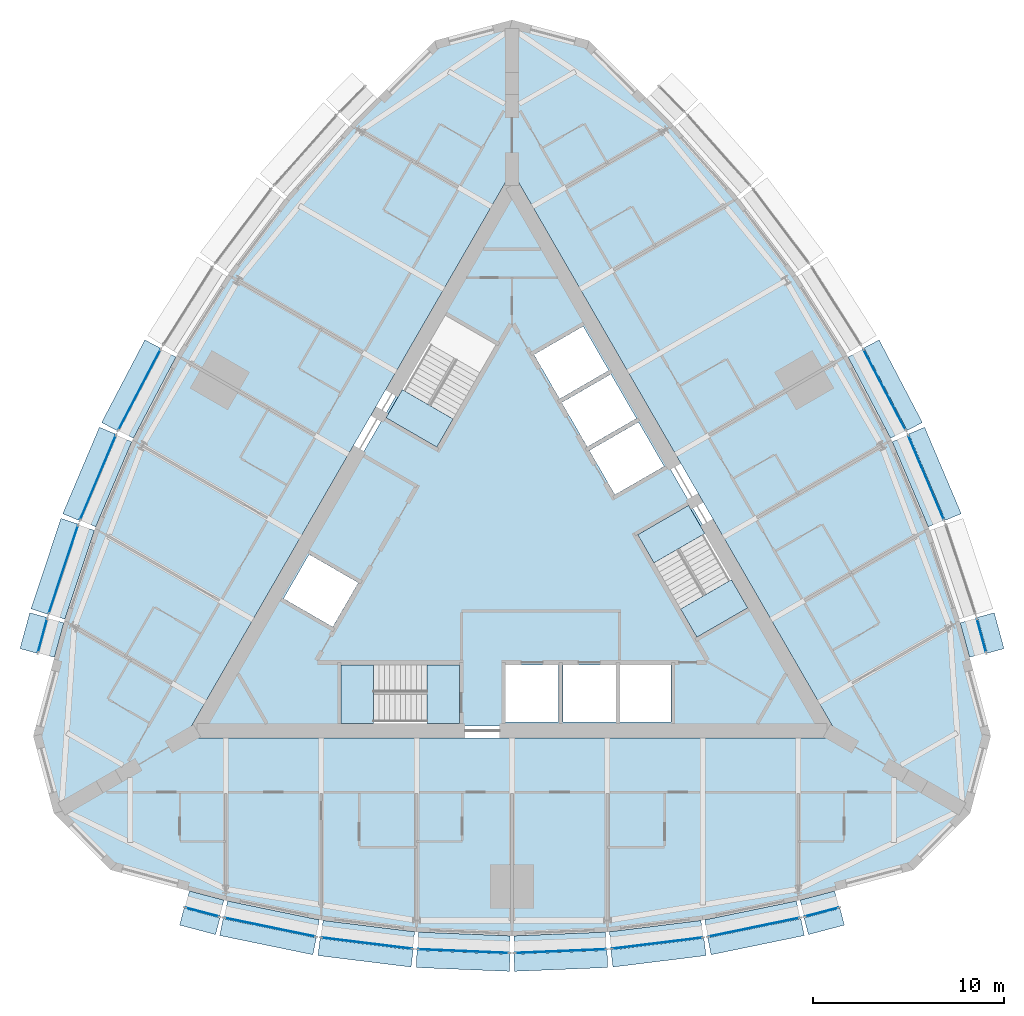
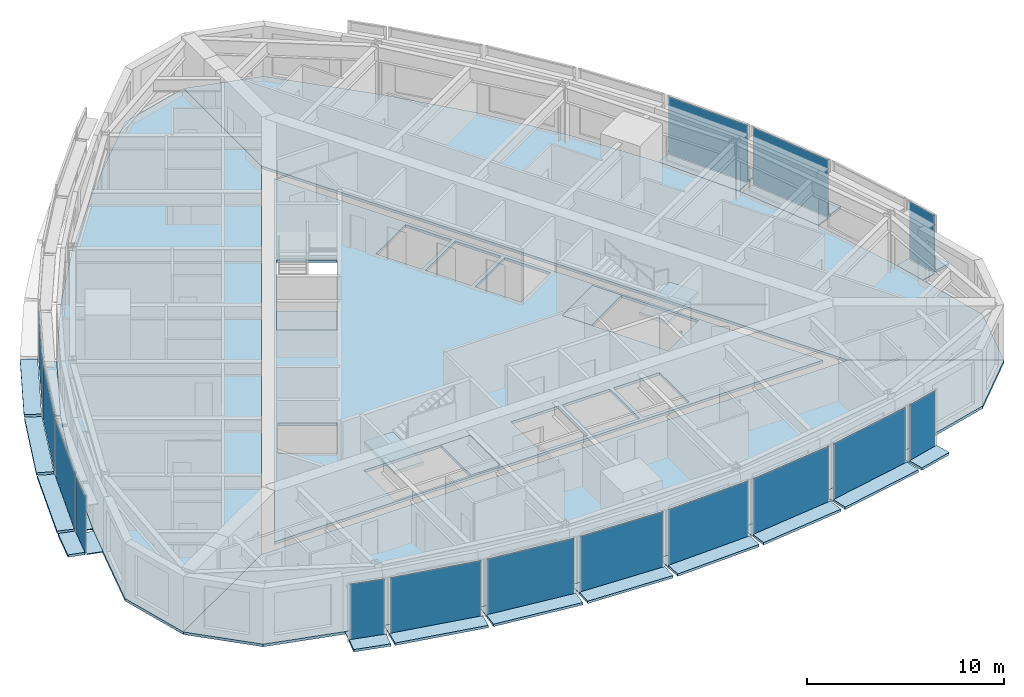
# One storey, part 7 of 15: 45 plates, 9 slabs, 18 elements without a shape of their own.
"""IFC4 building model written with IfcOpenShell, lengths in metres."""

from ifc_helpers import new_model, si_unit, direction, frame, origin, origin_2d, place, context, subcontext, project, spatial, polyline, rectangle, outline, extrude, material, layer, layer_set, type_object, element, aggregate, save


model = new_model("IFC4")

# Units and contexts
model_context = context("Model", 3, precision=1e-05, world=origin(), true_north=direction((0.0, 1.0)))
body_context = subcontext(model_context, "Body", "Model", "MODEL_VIEW")
ifc_project = project(units=[si_unit("LENGTHUNIT", "METRE"), si_unit("AREAUNIT", "SQUARE_METRE"), si_unit("VOLUMEUNIT", "CUBIC_METRE"), si_unit("PLANEANGLEUNIT", "RADIAN"), si_unit("MASSUNIT", "GRAM", prefix="KILO")], contexts=[model_context])

# Site, building, storey
site_placement = place(None, origin())
site = spatial("IfcSite", under=ifc_project, at=site_placement, CompositionType="ELEMENT")
building_placement = place(site_placement, origin())
building = spatial("IfcBuilding", under=site, at=building_placement, Name="Trikona Tower", CompositionType="ELEMENT")
storey_placement = place(building_placement, frame((0.0, 0.0, 208.10009765625)))
storey = spatial("IfcBuildingStorey", under=building, at=storey_placement, Name="L55", CompositionType="ELEMENT", Elevation=208.10009765625)

# Plates
ifc_material_1 = material(Name="Aluminium bar grating", Category="aluminium")
ifc_layer_1 = layer(ifc_material_1, 0.050048828125)
ifc_layer_set_1 = layer_set([ifc_layer_1], Name="Cavity catwalk grating")
plate_type_1 = type_object("IfcPlateType", Name="Cavity catwalk grating", PredefinedType="USERDEFINED", material=ifc_layer_set_1)
plate_1_placement = place(storey_placement, frame((-16.10693359375, -18.5673828125, -0.05029296875), z_axis=(0.0, 0.0, 1.0), x_axis=(0.966993038714, -0.254802792527, 0.0)))
element("IfcPlate", 1, at=plate_1_placement, inside=storey, type_object=plate_type_1, Name="Cavity catwalk L55-00", ObjectType="CATWALK GRATING", PredefinedType="USERDEFINED", context=body_context, shape_type="SweptSolid", body=[
    extrude(rectangle(XDim=1.868408203125, YDim=0.840087890625, at=origin_2d()), origin(), (0.0, 0.0, 1.0), 0.050048828125),
])
plate_2_placement = place(storey_placement, frame((-12.584716796875, -19.35107421875, -0.05029296875), z_axis=(0.0, 0.0, 1.0), x_axis=(0.979457514864, -0.201650629992, 0.0)))
element("IfcPlate", 2, at=plate_2_placement, inside=storey, type_object=plate_type_1, Name="Cavity catwalk L55-01", ObjectType="CATWALK GRATING", PredefinedType="USERDEFINED", context=body_context, shape_type="SweptSolid", body=[
    extrude(rectangle(XDim=4.90478515625, YDim=0.840087890625, at=origin_2d()), origin(), (0.0, 0.0, 1.0), 0.050048828125),
])
plate_3_placement = place(storey_placement, frame((-7.551513671875, -20.179931640625, -0.05029296875), z_axis=(0.0, 0.0, 1.0), x_axis=(0.992455266199, -0.122607277901, 0.0)))
element("IfcPlate", 3, at=plate_3_placement, inside=storey, type_object=plate_type_1, Name="Cavity catwalk L55-02", ObjectType="CATWALK GRATING", PredefinedType="USERDEFINED", context=body_context, shape_type="SweptSolid", body=[
    extrude(rectangle(XDim=4.837890625, YDim=0.840087890625, at=origin_2d()), origin(), (0.0, 0.0, 1.0), 0.050048828125),
])
for number, where, z_axis, x_axis, name in (
    (4, (-2.517333984375, -20.594482421875, -0.05029296875), (0.0, 0.0, 1.0), (0.999153186307, -0.041144991109, 0.0), "Cavity catwalk L55-03"),
    (5, (2.517333984375, -20.594482421875, -0.05029296875), (0.0, 0.0, 1.0), (0.999153186307, 0.041144991109, 0.0), "Cavity catwalk L55-04"),
):
    element("IfcPlate", number, at=place(storey_placement, frame(where, z_axis=z_axis, x_axis=x_axis)), inside=storey, type_object=plate_type_1, Name=name, ObjectType="CATWALK GRATING", PredefinedType="USERDEFINED", context=body_context, shape_type="SweptSolid", body=[
        extrude(rectangle(XDim=4.80419921875, YDim=0.840087890625, at=origin_2d()), origin(), (0.0, 0.0, 1.0), 0.050048828125),
    ])
plate_4_placement = place(storey_placement, frame((7.551513671875, -20.179931640625, -0.05029296875), z_axis=(0.0, 0.0, 1.0), x_axis=(0.992455266199, 0.122607277901, 0.0)))
element("IfcPlate", 6, at=plate_4_placement, inside=storey, type_object=plate_type_1, Name="Cavity catwalk L55-05", ObjectType="CATWALK GRATING", PredefinedType="USERDEFINED", context=body_context, shape_type="SweptSolid", body=[
    extrude(rectangle(XDim=4.837890625, YDim=0.840087890625, at=origin_2d()), origin(), (0.0, 0.0, 1.0), 0.050048828125),
])
plate_5_placement = place(storey_placement, frame((12.584716796875, -19.35107421875, -0.05029296875), z_axis=(0.0, 0.0, 1.0), x_axis=(0.979457514864, 0.201650629992, 0.0)))
element("IfcPlate", 7, at=plate_5_placement, inside=storey, type_object=plate_type_1, Name="Cavity catwalk L55-06", ObjectType="CATWALK GRATING", PredefinedType="USERDEFINED", context=body_context, shape_type="SweptSolid", body=[
    extrude(rectangle(XDim=4.90478515625, YDim=0.840087890625, at=origin_2d()), origin(), (0.0, 0.0, 1.0), 0.050048828125),
])
for number, where, z_axis, x_axis, name in (
    (8, (16.10693359375, -18.5673828125, -0.05029296875), (0.0, 0.0, 1.0), (0.966993038714, 0.254802792527, 0.0), "Cavity catwalk L55-07"),
    (9, (24.13330078125, -4.665283203125, -0.05029296875), (0.0, 0.0, 1.0), (-0.262822408229, 0.964844226667, 0.0), "Cavity catwalk L55-12"),
):
    element("IfcPlate", number, at=place(storey_placement, frame(where, z_axis=z_axis, x_axis=x_axis)), inside=storey, type_object=plate_type_1, Name=name, ObjectType="CATWALK GRATING", PredefinedType="USERDEFINED", context=body_context, shape_type="SweptSolid", body=[
        extrude(rectangle(XDim=1.868408203125, YDim=0.840087890625, at=origin_2d()), origin(), (0.0, 0.0, 1.0), 0.050048828125),
    ])
plate_6_placement = place(storey_placement, frame((21.252197265625, 3.55029296875, -0.05029296875), z_axis=(0.0, 0.0, 1.0), x_axis=(-0.390051437015, 0.920793069306, 0.0)))
element("IfcPlate", 10, at=plate_6_placement, inside=storey, type_object=plate_type_1, Name="Cavity catwalk L55-14", ObjectType="CATWALK GRATING", PredefinedType="USERDEFINED", context=body_context, shape_type="SweptSolid", body=[
    extrude(rectangle(XDim=4.837890625, YDim=0.840087890625, at=origin_2d()), origin(), (0.0, 0.0, 1.0), 0.050048828125),
])
for number, where, z_axis, x_axis, name in (
    (11, (19.093994140625, 8.1171875, -0.05029296875), (0.0, 0.0, 1.0), (-0.463951716224, 0.885860488459, 0.0), "Cavity catwalk L55-15"),
    (12, (-19.093994140625, 8.1171875, -0.05029296875), (0.0, 0.0, 1.0), (-0.463951716224, -0.885860488459, 0.0), "Cavity catwalk L55-28"),
):
    element("IfcPlate", number, at=place(storey_placement, frame(where, z_axis=z_axis, x_axis=x_axis)), inside=storey, type_object=plate_type_1, Name=name, ObjectType="CATWALK GRATING", PredefinedType="USERDEFINED", context=body_context, shape_type="SweptSolid", body=[
        extrude(rectangle(XDim=4.80419921875, YDim=0.840087890625, at=origin_2d()), origin(), (0.0, 0.0, 1.0), 0.050048828125),
    ])
plate_7_placement = place(storey_placement, frame((-21.252197265625, 3.55029296875, -0.05029296875), z_axis=(0.0, 0.0, 1.0), x_axis=(-0.390051437015, -0.920793069306, 0.0)))
element("IfcPlate", 13, at=plate_7_placement, inside=storey, type_object=plate_type_1, Name="Cavity catwalk L55-29", ObjectType="CATWALK GRATING", PredefinedType="USERDEFINED", context=body_context, shape_type="SweptSolid", body=[
    extrude(rectangle(XDim=4.837890625, YDim=0.840087890625, at=origin_2d()), origin(), (0.0, 0.0, 1.0), 0.050048828125),
])
plate_8_placement = place(storey_placement, frame((-23.05078125, -1.22314453125, -0.05029296875), z_axis=(0.0, 0.0, 1.0), x_axis=(-0.315092532747, -0.949060954737, 0.0)))
element("IfcPlate", 14, at=plate_8_placement, inside=storey, type_object=plate_type_1, Name="Cavity catwalk L55-30", ObjectType="CATWALK GRATING", PredefinedType="USERDEFINED", context=body_context, shape_type="SweptSolid", body=[
    extrude(rectangle(XDim=4.90478515625, YDim=0.840087890625, at=origin_2d()), origin(), (0.0, 0.0, 1.0), 0.050048828125),
])
plate_9_placement = place(storey_placement, frame((-24.13330078125, -4.665283203125, -0.05029296875), z_axis=(0.0, 0.0, 1.0), x_axis=(-0.262822408229, -0.964844226667, 0.0)))
element("IfcPlate", 15, at=plate_9_placement, inside=storey, type_object=plate_type_1, Name="Cavity catwalk L55-31", ObjectType="CATWALK GRATING", PredefinedType="USERDEFINED", context=body_context, shape_type="SweptSolid", body=[
    extrude(rectangle(XDim=1.868408203125, YDim=0.840087890625, at=origin_2d()), origin(), (0.0, 0.0, 1.0), 0.050048828125),
])

# Slabs
ifc_material_2 = material(Name="Concrete f'c 5000 psi lightweight on composite steel deck", Category="concrete")
ifc_layer_2 = layer(ifc_material_2, 0.1650390625)
ifc_layer_set_2 = layer_set([ifc_layer_2], Name="Composite floor slab 165")
slab_type_1 = type_object("IfcSlabType", Name="Composite floor slab 165", PredefinedType="FLOOR", material=ifc_layer_set_2)
slab_1_placement = place(storey_placement, frame((0.0, 0.0, -0.1650390625)))
element("IfcSlab", 16, at=slab_1_placement, inside=storey, type_object=slab_type_1, Name="Floor slab L55 core", PredefinedType="FLOOR", context=body_context, shape_type="SweptSolid", body=[
    extrude(outline(polyline([(-16.06689453125, -9.2763671875), (16.06689453125, -9.2763671875), (0.0, 18.552490234375), (-16.06689453125, -9.2763671875)]), holes=[polyline([(6.587158203125, 0.7431640625), (9.687255859375, -4.626220703125), (12.35009765625, -3.088623046875), (9.250244140625, 2.28076171875), (6.587158203125, 0.7431640625)]), polyline([(5.659912109375, -6.086181640625), (5.659912109375, -9.06640625), (8.340087890625, -9.06640625), (8.340087890625, -6.086181640625), (5.659912109375, -6.086181640625)]), polyline([(6.631591796875, 6.646240234375), (4.05078125, 5.15625), (5.390869140625, 2.835205078125), (7.9716796875, 4.3251953125), (6.631591796875, 6.646240234375)]), polyline([(6.521484375, 6.8369140625), (5.181640625, 9.15771484375), (2.600830078125, 7.667724609375), (3.94091796875, 5.3466796875), (6.521484375, 6.8369140625)]), polyline([(2.659912109375, -9.06640625), (5.43994140625, -9.06640625), (5.43994140625, -6.086181640625), (2.659912109375, -6.086181640625), (2.659912109375, -9.06640625)]), polyline([(2.490966796875, 7.858154296875), (5.071533203125, 9.34814453125), (3.731689453125, 11.669189453125), (1.15087890625, 10.17919921875), (2.490966796875, 7.858154296875)]), polyline([(2.43994140625, -9.06640625), (2.43994140625, -6.086181640625), (-0.340087890625, -6.086181640625), (-0.340087890625, -9.06640625), (2.43994140625, -9.06640625)]), polyline([(-3.937255859375, 5.3330078125), (-0.837158203125, 10.702392578125), (-3.500244140625, 12.239990234375), (-6.60009765625, 6.87060546875), (-3.937255859375, 5.3330078125)]), polyline([(-2.75, -6.076416015625), (-8.949951171875, -6.076416015625), (-8.949951171875, -9.1513671875), (-2.75, -9.1513671875), (-2.75, -6.076416015625)]), polyline([(-11.9716796875, -2.602783203125), (-9.390869140625, -4.093017578125), (-8.05078125, -1.77197265625), (-10.631591796875, -0.281982421875), (-11.9716796875, -2.602783203125)])]), origin(), (0.0, 0.0, 1.0), 0.1650390625),
])
slab_2_placement = place(storey_placement, frame((0.0, 0.0, -0.1650390625)))
element("IfcSlab", 17, at=slab_2_placement, inside=storey, type_object=slab_type_1, Name="Floor slab L55 south", PredefinedType="FLOOR", context=body_context, shape_type="SweptSolid", body=[
    extrude(outline(polyline([(21.04150390625, -16.81494140625), (24.0, -13.8564453125), (17.1494140625, -9.9013671875), (-17.1494140625, -9.9013671875), (-24.0, -13.8564453125), (-21.04150390625, -16.81494140625), (-17.0, -17.89794921875), (-15.0, -18.4248046875), (-10.0, -19.454345703125), (-5.0, -20.072021484375), (0.0, -20.27783203125), (5.0, -20.072021484375), (10.0, -19.454345703125), (15.0, -18.4248046875), (17.0, -17.89794921875), (21.04150390625, -16.81494140625)])), origin(), (0.0, 0.0, 1.0), 0.1650390625),
])
slab_3_placement = place(storey_placement, frame((0.0, 0.0, -0.1650390625)))
element("IfcSlab", 18, at=slab_3_placement, inside=storey, type_object=slab_type_1, Name="Floor slab L55 north-east", PredefinedType="FLOOR", context=body_context, shape_type="SweptSolid", body=[
    extrude(outline(polyline([(4.04150390625, 26.6298828125), (0.0, 27.712890625), (0.0, 19.802490234375), (17.1494140625, -9.9013671875), (24.0, -13.8564453125), (25.0830078125, -9.81494140625), (24.0, -5.7734375), (23.456298828125, -3.77783203125), (21.847900390625, 1.06689453125), (19.8828125, 5.705810546875), (17.56103515625, 10.138916015625), (14.8828125, 14.3662109375), (11.847900390625, 18.387451171875), (8.456298828125, 22.202880859375), (7.0, 23.67138671875), (4.04150390625, 26.6298828125)])), origin(), (0.0, 0.0, 1.0), 0.1650390625),
])
slab_4_placement = place(storey_placement, frame((0.0, 0.0, -0.1650390625)))
element("IfcSlab", 19, at=slab_4_placement, inside=storey, type_object=slab_type_1, Name="Floor slab L55 north-west", PredefinedType="FLOOR", context=body_context, shape_type="SweptSolid", body=[
    extrude(outline(polyline([(-7.0, 23.67138671875), (-8.456298828125, 22.202880859375), (-11.847900390625, 18.387451171875), (-14.8828125, 14.3662109375), (-17.56103515625, 10.138916015625), (-19.8828125, 5.705810546875), (-21.847900390625, 1.06689453125), (-23.456298828125, -3.77783203125), (-24.0, -5.7734375), (-25.0830078125, -9.81494140625), (-24.0, -13.8564453125), (-17.1494140625, -9.9013671875), (0.0, 19.802490234375), (0.0, 27.712890625), (-4.04150390625, 26.6298828125), (-7.0, 23.67138671875)])), origin(), (0.0, 0.0, 1.0), 0.1650390625),
])

# Curtain wall, plate
ifc_material_3 = material(Name="Aluminium curtain wall system", Category="aluminium")
curtain_wall_type = type_object("IfcCurtainWallType", Name="Curtain wall DS3", PredefinedType="NOTDEFINED", material=ifc_material_3)
curtain_wall_1_placement = place(storey_placement, origin())
curtain_wall_1 = element("IfcCurtainWall", 20, at=curtain_wall_1_placement, inside=storey, type_object=curtain_wall_type, Name="Curtain wall DS3 L55", PredefinedType="NOTDEFINED")
ifc_material_4 = material(Name="Laminated clear glass", Category="glass")
ifc_layer_3 = layer(ifc_material_4, 0.028076171875)
ifc_layer_set_3 = layer_set([ifc_layer_3], Name="Glass panel DS3")
plate_type_2 = type_object("IfcPlateType", Name="Glass panel DS3", PredefinedType="CURTAIN_PANEL", material=ifc_layer_set_3)
plate_10_placement = place(storey_placement, frame((-16.229248046875, -19.03173828125, 0.0), z_axis=(0.0, 0.0, 1.0), x_axis=(0.966997369647, -0.25478635579, 0.0)))
plate_10 = element("IfcPlate", 21, at=plate_10_placement, type_object=plate_type_2, Name="CW-DS3 panel 1.1", PredefinedType="CURTAIN_PANEL", context=body_context, shape_type="SweptSolid", body=[
    extrude(rectangle(XDim=1.808349609375, YDim=0.028076171875, at=origin_2d()), origin(), (0.0, 0.0, 1.0), 3.530029296875),
])
aggregate(curtain_wall_1, [plate_10])

curtain_wall_2_placement = place(storey_placement, origin())
curtain_wall_2 = element("IfcCurtainWall", 22, at=curtain_wall_2_placement, inside=storey, type_object=curtain_wall_type, Name="Curtain wall DS3 L55", PredefinedType="NOTDEFINED")
plate_11_placement = place(storey_placement, frame((-12.681396484375, -19.821044921875, 0.0), z_axis=(0.0, 0.0, 1.0), x_axis=(0.979457043256, -0.201652920672, 0.0)))
plate_11 = element("IfcPlate", 23, at=plate_11_placement, type_object=plate_type_2, Name="CW-DS3 panel 1.1", PredefinedType="CURTAIN_PANEL", context=body_context, shape_type="SweptSolid", body=[
    extrude(rectangle(XDim=4.8447265625, YDim=0.028076171875, at=origin_2d()), origin(), (0.0, 0.0, 1.0), 3.530029296875),
])
aggregate(curtain_wall_2, [plate_11])

curtain_wall_3_placement = place(storey_placement, origin())
curtain_wall_3 = element("IfcCurtainWall", 24, at=curtain_wall_3_placement, inside=storey, type_object=curtain_wall_type, Name="Curtain wall DS3 L55", PredefinedType="NOTDEFINED")
plate_12_placement = place(storey_placement, frame((-7.6103515625, -20.656494140625, 0.0), z_axis=(0.0, 0.0, 1.0), x_axis=(0.992454850785, -0.122610640458, 0.0)))
plate_12 = element("IfcPlate", 25, at=plate_12_placement, type_object=plate_type_2, Name="CW-DS3 panel 1.1", PredefinedType="CURTAIN_PANEL", context=body_context, shape_type="SweptSolid", body=[
    extrude(rectangle(XDim=4.778076171875, YDim=0.028076171875, at=origin_2d()), origin(), (0.0, 0.0, 1.0), 3.530029296875),
])
aggregate(curtain_wall_3, [plate_12])

curtain_wall_4_placement = place(storey_placement, origin())
curtain_wall_4 = element("IfcCurtainWall", 26, at=curtain_wall_4_placement, inside=storey, type_object=curtain_wall_type, Name="Curtain wall DS3 L55", PredefinedType="NOTDEFINED")
plate_13_placement = place(storey_placement, frame((-2.537109375, -21.07421875, 0.0), z_axis=(0.0, 0.0, 1.0), x_axis=(0.999152865157, -0.04115278907, 0.0)))
plate_13 = element("IfcPlate", 27, at=plate_13_placement, type_object=plate_type_2, Name="CW-DS3 panel 1.1", PredefinedType="CURTAIN_PANEL", context=body_context, shape_type="SweptSolid", body=[
    extrude(rectangle(XDim=4.744140625, YDim=0.028076171875, at=origin_2d()), origin(), (0.0, 0.0, 1.0), 3.530029296875),
])
aggregate(curtain_wall_4, [plate_13])

curtain_wall_5_placement = place(storey_placement, origin())
curtain_wall_5 = element("IfcCurtainWall", 28, at=curtain_wall_5_placement, inside=storey, type_object=curtain_wall_type, Name="Curtain wall DS3 L55", PredefinedType="NOTDEFINED")
plate_14_placement = place(storey_placement, frame((2.537109375, -21.07421875, 0.0), z_axis=(0.0, 0.0, 1.0), x_axis=(0.999152865157, 0.04115278907, 0.0)))
plate_14 = element("IfcPlate", 29, at=plate_14_placement, type_object=plate_type_2, Name="CW-DS3 panel 1.1", PredefinedType="CURTAIN_PANEL", context=body_context, shape_type="SweptSolid", body=[
    extrude(rectangle(XDim=4.744140625, YDim=0.028076171875, at=origin_2d()), origin(), (0.0, 0.0, 1.0), 3.530029296875),
])
aggregate(curtain_wall_5, [plate_14])

curtain_wall_6_placement = place(storey_placement, origin())
curtain_wall_6 = element("IfcCurtainWall", 30, at=curtain_wall_6_placement, inside=storey, type_object=curtain_wall_type, Name="Curtain wall DS3 L55", PredefinedType="NOTDEFINED")
plate_15_placement = place(storey_placement, frame((7.6103515625, -20.656494140625, 0.0), z_axis=(0.0, 0.0, 1.0), x_axis=(0.992454850785, 0.122610640458, 0.0)))
plate_15 = element("IfcPlate", 31, at=plate_15_placement, type_object=plate_type_2, Name="CW-DS3 panel 1.1", PredefinedType="CURTAIN_PANEL", context=body_context, shape_type="SweptSolid", body=[
    extrude(rectangle(XDim=4.778076171875, YDim=0.028076171875, at=origin_2d()), origin(), (0.0, 0.0, 1.0), 3.530029296875),
])
aggregate(curtain_wall_6, [plate_15])

curtain_wall_7_placement = place(storey_placement, origin())
curtain_wall_7 = element("IfcCurtainWall", 32, at=curtain_wall_7_placement, inside=storey, type_object=curtain_wall_type, Name="Curtain wall DS3 L55", PredefinedType="NOTDEFINED")
plate_16_placement = place(storey_placement, frame((12.681396484375, -19.821044921875, 0.0), z_axis=(0.0, 0.0, 1.0), x_axis=(0.979457043256, 0.201652920672, 0.0)))
plate_16 = element("IfcPlate", 33, at=plate_16_placement, type_object=plate_type_2, Name="CW-DS3 panel 1.1", PredefinedType="CURTAIN_PANEL", context=body_context, shape_type="SweptSolid", body=[
    extrude(rectangle(XDim=4.8447265625, YDim=0.028076171875, at=origin_2d()), origin(), (0.0, 0.0, 1.0), 3.530029296875),
])
aggregate(curtain_wall_7, [plate_16])

curtain_wall_8_placement = place(storey_placement, origin())
curtain_wall_8 = element("IfcCurtainWall", 34, at=curtain_wall_8_placement, inside=storey, type_object=curtain_wall_type, Name="Curtain wall DS3 L55", PredefinedType="NOTDEFINED")
plate_17_placement = place(storey_placement, frame((16.229248046875, -19.03173828125, 0.0), z_axis=(0.0, 0.0, 1.0), x_axis=(0.966997369647, 0.25478635579, 0.0)))
plate_17 = element("IfcPlate", 35, at=plate_17_placement, type_object=plate_type_2, Name="CW-DS3 panel 1.1", PredefinedType="CURTAIN_PANEL", context=body_context, shape_type="SweptSolid", body=[
    extrude(rectangle(XDim=1.808349609375, YDim=0.028076171875, at=origin_2d()), origin(), (0.0, 0.0, 1.0), 3.530029296875),
])
aggregate(curtain_wall_8, [plate_17])

curtain_wall_9_placement = place(storey_placement, origin())
curtain_wall_9 = element("IfcCurtainWall", 36, at=curtain_wall_9_placement, inside=storey, type_object=curtain_wall_type, Name="Curtain wall DS3 L55", PredefinedType="NOTDEFINED")
plate_18_placement = place(storey_placement, frame((24.596435546875, -4.539306640625, 0.0), z_axis=(0.0, 0.0, 1.0), x_axis=(-0.262843784676, 0.964838403494, 0.0)))
plate_18 = element("IfcPlate", 37, at=plate_18_placement, type_object=plate_type_2, Name="CW-DS3 panel 1.1", PredefinedType="CURTAIN_PANEL", context=body_context, shape_type="SweptSolid", body=[
    extrude(rectangle(XDim=1.808349609375, YDim=0.028076171875, at=origin_2d()), origin(), (0.0, 0.0, 1.0), 3.530029296875),
])
aggregate(curtain_wall_9, [plate_18])

curtain_wall_10_placement = place(storey_placement, origin())
curtain_wall_10 = element("IfcCurtainWall", 38, at=curtain_wall_10_placement, inside=storey, type_object=curtain_wall_type, Name="Curtain wall DS3 L55", PredefinedType="NOTDEFINED")
plate_19_placement = place(storey_placement, frame((21.694091796875, 3.737548828125, 0.0), z_axis=(0.0, 0.0, 1.0), x_axis=(-0.390053199266, 0.920792322808, 0.0)))
plate_19 = element("IfcPlate", 39, at=plate_19_placement, type_object=plate_type_2, Name="CW-DS3 panel 1.1", PredefinedType="CURTAIN_PANEL", context=body_context, shape_type="SweptSolid", body=[
    extrude(rectangle(XDim=4.778076171875, YDim=0.028076171875, at=origin_2d()), origin(), (0.0, 0.0, 1.0), 3.530029296875),
])
aggregate(curtain_wall_10, [plate_19])

curtain_wall_11_placement = place(storey_placement, origin())
curtain_wall_11 = element("IfcCurtainWall", 40, at=curtain_wall_11_placement, inside=storey, type_object=curtain_wall_type, Name="Curtain wall DS3 L55", PredefinedType="NOTDEFINED")
plate_20_placement = place(storey_placement, frame((19.519287109375, 8.33984375, 0.0), z_axis=(0.0, 0.0, 1.0), x_axis=(-0.463948084434, 0.885862390527, 0.0)))
plate_20 = element("IfcPlate", 41, at=plate_20_placement, type_object=plate_type_2, Name="CW-DS3 panel 1.1", PredefinedType="CURTAIN_PANEL", context=body_context, shape_type="SweptSolid", body=[
    extrude(rectangle(XDim=4.744140625, YDim=0.028076171875, at=origin_2d()), origin(), (0.0, 0.0, 1.0), 3.530029296875),
])
aggregate(curtain_wall_11, [plate_20])

curtain_wall_12_placement = place(storey_placement, origin())
curtain_wall_12 = element("IfcCurtainWall", 42, at=curtain_wall_12_placement, inside=storey, type_object=curtain_wall_type, Name="Curtain wall DS3 L55", PredefinedType="NOTDEFINED")
plate_21_placement = place(storey_placement, frame((-19.519287109375, 8.33984375, 0.0), z_axis=(0.0, 0.0, 1.0), x_axis=(-0.463948084434, -0.885862390527, 0.0)))
plate_21 = element("IfcPlate", 43, at=plate_21_placement, type_object=plate_type_2, Name="CW-DS3 panel 1.1", PredefinedType="CURTAIN_PANEL", context=body_context, shape_type="SweptSolid", body=[
    extrude(rectangle(XDim=4.744140625, YDim=0.028076171875, at=origin_2d()), origin(), (0.0, 0.0, 1.0), 3.530029296875),
])
aggregate(curtain_wall_12, [plate_21])

curtain_wall_13_placement = place(storey_placement, origin())
curtain_wall_13 = element("IfcCurtainWall", 44, at=curtain_wall_13_placement, inside=storey, type_object=curtain_wall_type, Name="Curtain wall DS3 L55", PredefinedType="NOTDEFINED")
plate_22_placement = place(storey_placement, frame((-21.694091796875, 3.737548828125, 0.0), z_axis=(0.0, 0.0, 1.0), x_axis=(-0.390053199266, -0.920792322808, 0.0)))
plate_22 = element("IfcPlate", 45, at=plate_22_placement, type_object=plate_type_2, Name="CW-DS3 panel 1.1", PredefinedType="CURTAIN_PANEL", context=body_context, shape_type="SweptSolid", body=[
    extrude(rectangle(XDim=4.778076171875, YDim=0.028076171875, at=origin_2d()), origin(), (0.0, 0.0, 1.0), 3.530029296875),
])
aggregate(curtain_wall_13, [plate_22])

curtain_wall_14_placement = place(storey_placement, origin())
curtain_wall_14 = element("IfcCurtainWall", 46, at=curtain_wall_14_placement, inside=storey, type_object=curtain_wall_type, Name="Curtain wall DS3 L55", PredefinedType="NOTDEFINED")
plate_23_placement = place(storey_placement, frame((-23.50634765625, -1.072021484375, 0.0), z_axis=(0.0, 0.0, 1.0), x_axis=(-0.315078038687, -0.949065766708, 0.0)))
plate_23 = element("IfcPlate", 47, at=plate_23_placement, type_object=plate_type_2, Name="CW-DS3 panel 1.1", PredefinedType="CURTAIN_PANEL", context=body_context, shape_type="SweptSolid", body=[
    extrude(rectangle(XDim=4.8447265625, YDim=0.028076171875, at=origin_2d()), origin(), (0.0, 0.0, 1.0), 3.530029296875),
])
aggregate(curtain_wall_14, [plate_23])

curtain_wall_15_placement = place(storey_placement, origin())
curtain_wall_15 = element("IfcCurtainWall", 48, at=curtain_wall_15_placement, inside=storey, type_object=curtain_wall_type, Name="Curtain wall DS3 L55", PredefinedType="NOTDEFINED")
plate_24_placement = place(storey_placement, frame((-24.596435546875, -4.539306640625, 0.0), z_axis=(0.0, 0.0, 1.0), x_axis=(-0.262843784676, -0.964838403494, 0.0)))
plate_24 = element("IfcPlate", 49, at=plate_24_placement, type_object=plate_type_2, Name="CW-DS3 panel 1.1", PredefinedType="CURTAIN_PANEL", context=body_context, shape_type="SweptSolid", body=[
    extrude(rectangle(XDim=1.808349609375, YDim=0.028076171875, at=origin_2d()), origin(), (0.0, 0.0, 1.0), 3.530029296875),
])
aggregate(curtain_wall_15, [plate_24])

# Plates
ifc_material_5 = material(Name="Aluminium plate fin, pale anodised, on stainless steel outriggers", Category="steel")
ifc_layer_4 = layer(ifc_material_5, 0.14990234375)
ifc_layer_set_4 = layer_set([ifc_layer_4], Name="Outer skin fin 900")
plate_type_3 = type_object("IfcPlateType", Name="Outer skin fin 900", PredefinedType="USERDEFINED", material=ifc_layer_set_4)
plate_25_placement = place(storey_placement, frame((-16.359375, -19.52490234375, 0.0), z_axis=(0.0, 0.0, 1.0), x_axis=(0.966993038714, -0.254802792527, 0.0)))
element("IfcPlate", 50, at=plate_25_placement, inside=storey, type_object=plate_type_3, Name="Outer skin fin L55-00", ObjectType="FIN", PredefinedType="USERDEFINED", context=body_context, shape_type="SweptSolid", body=[
    extrude(rectangle(XDim=1.9482421875, YDim=0.89990234375, at=origin_2d()), origin(), (0.0, 0.0, 1.0), 0.14990234375),
])
plate_26_placement = place(storey_placement, frame((-12.7841796875, -20.320556640625, 0.0), z_axis=(0.0, 0.0, 1.0), x_axis=(0.979457514864, -0.201650629992, 0.0)))
element("IfcPlate", 51, at=plate_26_placement, inside=storey, type_object=plate_type_3, Name="Outer skin fin L55-01", ObjectType="FIN", PredefinedType="USERDEFINED", context=body_context, shape_type="SweptSolid", body=[
    extrude(rectangle(XDim=4.98486328125, YDim=0.89990234375, at=origin_2d()), origin(), (0.0, 0.0, 1.0), 0.14990234375),
])
plate_27_placement = place(storey_placement, frame((-7.6728515625, -21.16259765625, 0.0), z_axis=(0.0, 0.0, 1.0), x_axis=(0.992455266199, -0.122607277901, 0.0)))
element("IfcPlate", 52, at=plate_27_placement, inside=storey, type_object=plate_type_3, Name="Outer skin fin L55-02", ObjectType="FIN", PredefinedType="USERDEFINED", context=body_context, shape_type="SweptSolid", body=[
    extrude(rectangle(XDim=4.91796875, YDim=0.89990234375, at=origin_2d()), origin(), (0.0, 0.0, 1.0), 0.14990234375),
])
for number, where, z_axis, x_axis, name in (
    (53, (-2.55810546875, -21.583740234375, 0.0), (0.0, 0.0, 1.0), (0.999153186307, -0.041144991109, 0.0), "Outer skin fin L55-03"),
    (54, (2.55810546875, -21.583740234375, 0.0), (0.0, 0.0, 1.0), (0.999153186307, 0.041144991109, 0.0), "Outer skin fin L55-04"),
):
    element("IfcPlate", number, at=place(storey_placement, frame(where, z_axis=z_axis, x_axis=x_axis)), inside=storey, type_object=plate_type_3, Name=name, ObjectType="FIN", PredefinedType="USERDEFINED", context=body_context, shape_type="SweptSolid", body=[
        extrude(rectangle(XDim=4.88427734375, YDim=0.89990234375, at=origin_2d()), origin(), (0.0, 0.0, 1.0), 0.14990234375),
    ])
plate_28_placement = place(storey_placement, frame((7.6728515625, -21.16259765625, 0.0), z_axis=(0.0, 0.0, 1.0), x_axis=(0.992455266199, 0.122607277901, 0.0)))
element("IfcPlate", 55, at=plate_28_placement, inside=storey, type_object=plate_type_3, Name="Outer skin fin L55-05", ObjectType="FIN", PredefinedType="USERDEFINED", context=body_context, shape_type="SweptSolid", body=[
    extrude(rectangle(XDim=4.91796875, YDim=0.89990234375, at=origin_2d()), origin(), (0.0, 0.0, 1.0), 0.14990234375),
])
plate_29_placement = place(storey_placement, frame((12.7841796875, -20.320556640625, 0.0), z_axis=(0.0, 0.0, 1.0), x_axis=(0.979457514864, 0.201650629992, 0.0)))
element("IfcPlate", 56, at=plate_29_placement, inside=storey, type_object=plate_type_3, Name="Outer skin fin L55-06", ObjectType="FIN", PredefinedType="USERDEFINED", context=body_context, shape_type="SweptSolid", body=[
    extrude(rectangle(XDim=4.98486328125, YDim=0.89990234375, at=origin_2d()), origin(), (0.0, 0.0, 1.0), 0.14990234375),
])
for number, where, z_axis, x_axis, name in (
    (57, (16.359375, -19.52490234375, 0.0), (0.0, 0.0, 1.0), (0.966993038714, 0.254802792527, 0.0), "Outer skin fin L55-07"),
    (58, (25.088623046875, -4.405029296875, 0.0), (0.0, 0.0, 1.0), (-0.262822408229, 0.964844226667, 0.0), "Outer skin fin L55-12"),
):
    element("IfcPlate", number, at=place(storey_placement, frame(where, z_axis=z_axis, x_axis=x_axis)), inside=storey, type_object=plate_type_3, Name=name, ObjectType="FIN", PredefinedType="USERDEFINED", context=body_context, shape_type="SweptSolid", body=[
        extrude(rectangle(XDim=1.9482421875, YDim=0.89990234375, at=origin_2d()), origin(), (0.0, 0.0, 1.0), 0.14990234375),
    ])
plate_30_placement = place(storey_placement, frame((22.163818359375, 3.936279296875, 0.0), z_axis=(0.0, 0.0, 1.0), x_axis=(-0.390051437015, 0.920793069306, 0.0)))
element("IfcPlate", 59, at=plate_30_placement, inside=storey, type_object=plate_type_3, Name="Outer skin fin L55-14", ObjectType="FIN", PredefinedType="USERDEFINED", context=body_context, shape_type="SweptSolid", body=[
    extrude(rectangle(XDim=4.91796875, YDim=0.89990234375, at=origin_2d()), origin(), (0.0, 0.0, 1.0), 0.14990234375),
])
for number, where, z_axis, x_axis, name in (
    (60, (19.970947265625, 8.57666015625, 0.0), (0.0, 0.0, 1.0), (-0.463951716224, 0.885860488459, 0.0), "Outer skin fin L55-15"),
    (61, (-19.970947265625, 8.57666015625, 0.0), (0.0, 0.0, 1.0), (-0.463951716224, -0.885860488459, 0.0), "Outer skin fin L55-28"),
):
    element("IfcPlate", number, at=place(storey_placement, frame(where, z_axis=z_axis, x_axis=x_axis)), inside=storey, type_object=plate_type_3, Name=name, ObjectType="FIN", PredefinedType="USERDEFINED", context=body_context, shape_type="SweptSolid", body=[
        extrude(rectangle(XDim=4.88427734375, YDim=0.89990234375, at=origin_2d()), origin(), (0.0, 0.0, 1.0), 0.14990234375),
    ])
plate_31_placement = place(storey_placement, frame((-22.163818359375, 3.936279296875, 0.0), z_axis=(0.0, 0.0, 1.0), x_axis=(-0.390051437015, -0.920793069306, 0.0)))
element("IfcPlate", 62, at=plate_31_placement, inside=storey, type_object=plate_type_3, Name="Outer skin fin L55-29", ObjectType="FIN", PredefinedType="USERDEFINED", context=body_context, shape_type="SweptSolid", body=[
    extrude(rectangle(XDim=4.91796875, YDim=0.89990234375, at=origin_2d()), origin(), (0.0, 0.0, 1.0), 0.14990234375),
])
plate_32_placement = place(storey_placement, frame((-23.990234375, -0.9111328125, 0.0), z_axis=(0.0, 0.0, 1.0), x_axis=(-0.315092532747, -0.949060954737, 0.0)))
element("IfcPlate", 63, at=plate_32_placement, inside=storey, type_object=plate_type_3, Name="Outer skin fin L55-30", ObjectType="FIN", PredefinedType="USERDEFINED", context=body_context, shape_type="SweptSolid", body=[
    extrude(rectangle(XDim=4.98486328125, YDim=0.89990234375, at=origin_2d()), origin(), (0.0, 0.0, 1.0), 0.14990234375),
])
plate_33_placement = place(storey_placement, frame((-25.088623046875, -4.405029296875, 0.0), z_axis=(0.0, 0.0, 1.0), x_axis=(-0.262822408229, -0.964844226667, 0.0)))
element("IfcPlate", 64, at=plate_33_placement, inside=storey, type_object=plate_type_3, Name="Outer skin fin L55-31", ObjectType="FIN", PredefinedType="USERDEFINED", context=body_context, shape_type="SweptSolid", body=[
    extrude(rectangle(XDim=1.9482421875, YDim=0.89990234375, at=origin_2d()), origin(), (0.0, 0.0, 1.0), 0.14990234375),
])

# Stair, slabs
ifc_material_6 = material(Name="Concrete f'c 5000 psi", Category="concrete")
stair_type = type_object("IfcStairType", Name="Core stair", PredefinedType="HALF_TURN_STAIR", material=ifc_material_6)
stair_1_placement = place(storey_placement, origin())
stair_1 = element("IfcStair", 65, at=stair_1_placement, inside=storey, type_object=stair_type, Name="Stair A L55", PredefinedType="HALF_TURN_STAIR")
ifc_material_7 = material(Name="Concrete f'c 5000 psi", Category="concrete")
ifc_layer_5 = layer(ifc_material_7, 0.199951171875)
ifc_layer_set_5 = layer_set([ifc_layer_5], Name="Stair landing 200")
slab_type_2 = type_object("IfcSlabType", Name="Stair landing 200", PredefinedType="LANDING", material=ifc_layer_set_5)
slab_5_placement = place(storey_placement, frame((0.0, 0.0, -0.2001953125)))
slab_5 = element("IfcSlab", 66, at=slab_5_placement, type_object=slab_type_2, Name="ST-A landing 1", PredefinedType="LANDING", context=body_context, shape_type="SweptSolid", body=[
    extrude(outline(polyline([(-4.452880859375, -6.076416015625), (-2.75, -6.076416015625), (-2.75, -9.1513671875), (-4.452880859375, -9.1513671875), (-4.452880859375, -6.076416015625)])), origin(), (0.0, 0.0, 1.0), 0.2001953125),
])
slab_6_placement = place(storey_placement, frame((0.0, 0.0, 1.599853515625)))
slab_6 = element("IfcSlab", 67, at=slab_6_placement, type_object=slab_type_2, Name="ST-A landing 2", PredefinedType="LANDING", context=body_context, shape_type="SweptSolid", body=[
    extrude(outline(polyline([(-8.949951171875, -6.076416015625), (-7.2470703125, -6.076416015625), (-7.2470703125, -9.1513671875), (-8.949951171875, -9.1513671875), (-8.949951171875, -6.076416015625)])), origin(), (0.0, 0.0, 1.0), 0.199951171875),
])
aggregate(stair_1, [slab_5, slab_6])

stair_2_placement = place(storey_placement, origin())
stair_2 = element("IfcStair", 68, at=stair_2_placement, inside=storey, type_object=stair_type, Name="Stair B L55", PredefinedType="HALF_TURN_STAIR")
slab_7_placement = place(storey_placement, frame((0.0, 0.0, -0.2001953125)))
slab_7 = element("IfcSlab", 69, at=slab_7_placement, type_object=slab_type_2, Name="ST-B landing 1", PredefinedType="LANDING", context=body_context, shape_type="SweptSolid", body=[
    extrude(outline(polyline([(7.438720703125, -0.731689453125), (6.587158203125, 0.7431640625), (9.250244140625, 2.28076171875), (10.101806640625, 0.805908203125), (7.438720703125, -0.731689453125)])), origin(), (0.0, 0.0, 1.0), 0.2001953125),
])
slab_8_placement = place(storey_placement, frame((0.0, 0.0, 1.599853515625)))
slab_8 = element("IfcSlab", 70, at=slab_8_placement, type_object=slab_type_2, Name="ST-B landing 2", PredefinedType="LANDING", context=body_context, shape_type="SweptSolid", body=[
    extrude(outline(polyline([(9.687255859375, -4.626220703125), (8.835693359375, -3.1513671875), (11.498779296875, -1.61376953125), (12.35009765625, -3.088623046875), (9.687255859375, -4.626220703125)])), origin(), (0.0, 0.0, 1.0), 0.199951171875),
])
aggregate(stair_2, [slab_7, slab_8])

# Stair, slab
stair_3_placement = place(storey_placement, origin())
stair_3 = element("IfcStair", 71, at=stair_3_placement, inside=storey, type_object=stair_type, Name="Stair C L55", PredefinedType="HALF_TURN_STAIR")
slab_9_placement = place(storey_placement, frame((0.0, 0.0, -0.2001953125)))
slab_9 = element("IfcSlab", 72, at=slab_9_placement, type_object=slab_type_2, Name="ST-C landing 1", PredefinedType="LANDING", context=body_context, shape_type="SweptSolid", body=[
    extrude(outline(polyline([(-3.085693359375, 6.807861328125), (-3.937255859375, 5.3330078125), (-6.60009765625, 6.87060546875), (-5.748779296875, 8.345458984375), (-3.085693359375, 6.807861328125)])), origin(), (0.0, 0.0, 1.0), 0.2001953125),
])
aggregate(stair_3, [slab_9])

save(model, "model.ifc")
